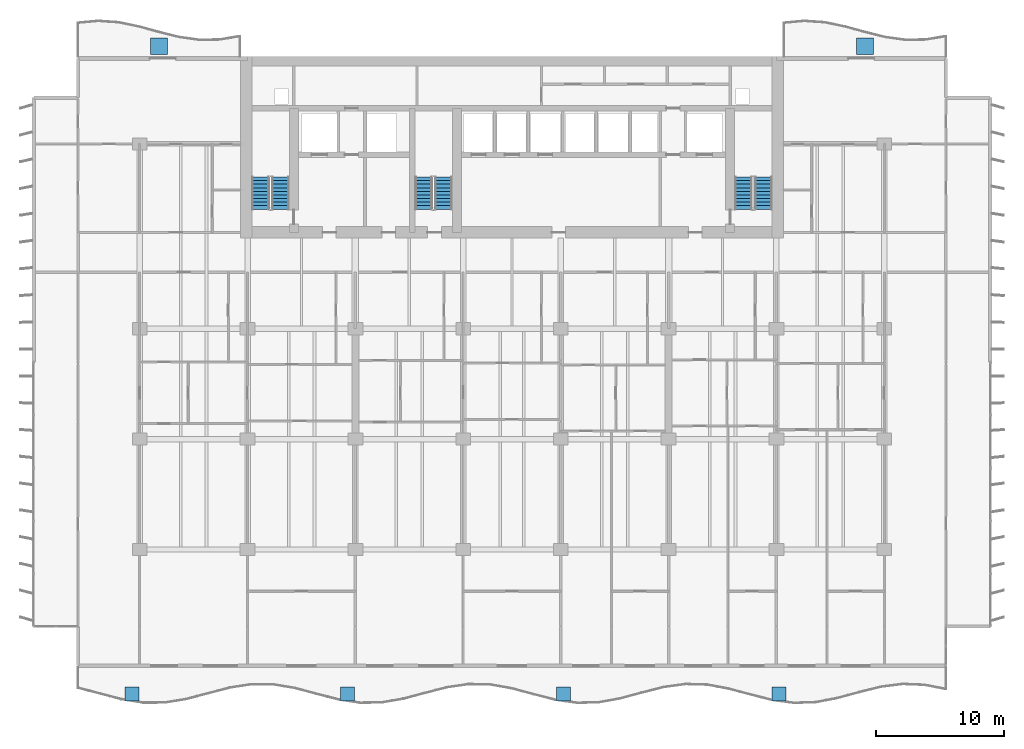
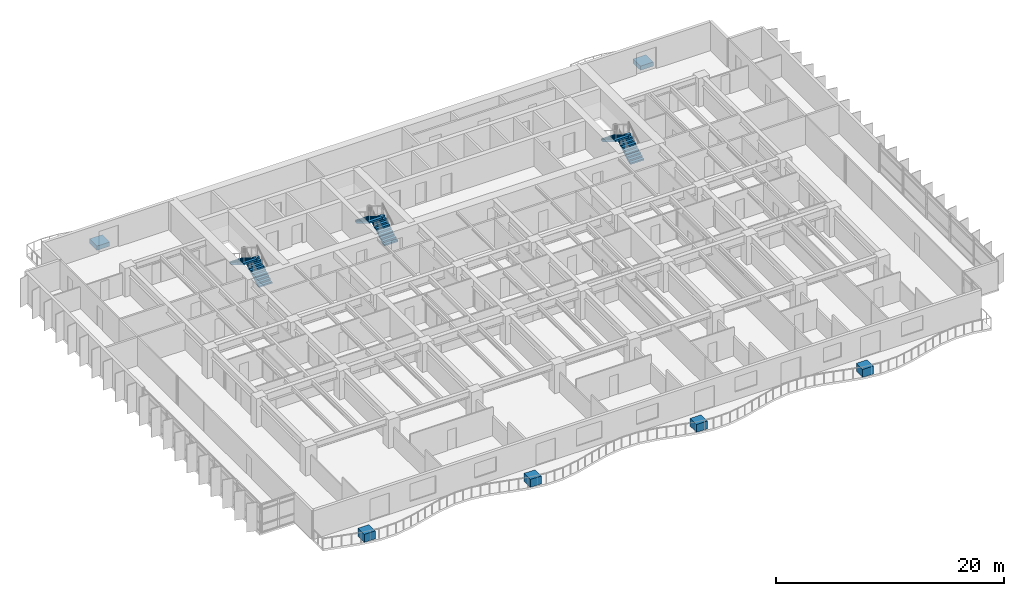
# One storey, part 13 of 17: 6 discrete accessories, 6 stair flights, 3 elements without a shape of their own.
"""IFC4 building model written with IfcOpenShell, lengths in metres."""

from ifc_helpers import new_model, si_unit, direction, frame, origin, origin_2d, place, context, subcontext, project, spatial, polyline, rectangle, outline, extrude, material, type_object, element, aggregate, save


model = new_model("IFC4")

# Units and contexts
model_context = context("Model", 3, precision=1e-05, world=origin(), true_north=direction((0.0, 1.0)))
body_context = subcontext(model_context, "Body", "Model", "MODEL_VIEW")
ifc_project = project(units=[si_unit("LENGTHUNIT", "METRE"), si_unit("AREAUNIT", "SQUARE_METRE"), si_unit("VOLUMEUNIT", "CUBIC_METRE"), si_unit("PLANEANGLEUNIT", "RADIAN"), si_unit("MASSUNIT", "GRAM", prefix="KILO")], contexts=[model_context])

# Site, building, storey
site_placement = place(None, origin())
site = spatial("IfcSite", under=ifc_project, at=site_placement, CompositionType="ELEMENT")
building_placement = place(site_placement, origin())
building = spatial("IfcBuilding", under=site, at=building_placement, Name="Caelmar Bay Residences", CompositionType="ELEMENT")
storey_placement = place(building_placement, frame((0.0, 0.0, 59.699951171875)))
storey = spatial("IfcBuildingStorey", under=building, at=storey_placement, Name="L15", CompositionType="ELEMENT", Elevation=59.699951171875)

# Stair, stair flights
ifc_material_1 = material(Name="Concrete f'c 40 MPa (6,000 psi)", Category="concrete")
stair_type = type_object("IfcStairType", Name="ST-TYP-165", PredefinedType="HALF_TURN_STAIR", material=ifc_material_1)
stair_1_placement = place(storey_placement, origin())
stair_1 = element("IfcStair", 1, at=stair_1_placement, inside=storey, type_object=stair_type, Name="L15 West Smokeproof Exit Stair ST1", PredefinedType="HALF_TURN_STAIR")
stair_flight_type = type_object("IfcStairFlightType", Name="STF-1350", PredefinedType="STRAIGHT", material=ifc_material_1)
stair_flight_1_placement = place(storey_placement, frame((20.875, 38.699951171875, 0.0), z_axis=(0.0, 0.0, 1.0), x_axis=(0.0, 1.0, 0.0)))
stair_flight_1 = element("IfcStairFlight", 2, at=stair_flight_1_placement, type_object=stair_flight_type, Name="ST1 flight 1", NumberOfRisers=10, NumberOfTreads=9, PredefinedType="STRAIGHT", RiserHeight=0.165, TreadLength=0.28, context=body_context, shape_type="SweptSolid", body=[
    extrude(outline(polyline([(0.0, 0.0), (0.0, 0.1650390625), (0.280029296875, 0.1650390625), (0.280029296875, 0.330078125), (0.56005859375, 0.330078125), (0.56005859375, 0.4951171875), (0.840087890625, 0.4951171875), (0.840087890625, 0.659912109375), (1.1201171875, 0.659912109375), (1.1201171875, 0.824951171875), (1.39990234375, 0.824951171875), (1.39990234375, 0.989990234375), (1.679931640625, 0.989990234375), (1.679931640625, 1.155029296875), (1.9599609375, 1.155029296875), (1.9599609375, 1.320068359375), (2.239990234375, 1.320068359375), (2.239990234375, 1.485107421875), (2.52001953125, 1.485107421875), (2.52001953125, 1.64990234375), (2.52001953125, 1.31103515625), (0.295166015625, 0.0), (0.0, 0.0)])), frame((0.0, 0.675048828125, 0.0), z_axis=(0.0, -1.0, 0.0), x_axis=(1.0, 0.0, 0.0)), (0.0, 0.0, 1.0), 1.35009765625),
])
stair_flight_2_placement = place(storey_placement, frame((19.324951171875, 41.219970703125, 1.650146484375), z_axis=(0.0, 0.0, 1.0), x_axis=(0.0, -1.0, 0.0)))
stair_flight_2 = element("IfcStairFlight", 3, at=stair_flight_2_placement, type_object=stair_flight_type, Name="ST1 flight 2", NumberOfRisers=10, NumberOfTreads=9, PredefinedType="STRAIGHT", RiserHeight=0.165, TreadLength=0.28, context=body_context, shape_type="SweptSolid", body=[
    extrude(outline(polyline([(0.0, 0.0), (0.0, 0.1650390625), (0.280029296875, 0.1650390625), (0.280029296875, 0.330078125), (0.56005859375, 0.330078125), (0.56005859375, 0.4951171875), (0.840087890625, 0.4951171875), (0.840087890625, 0.659912109375), (1.1201171875, 0.659912109375), (1.1201171875, 0.824951171875), (1.39990234375, 0.824951171875), (1.39990234375, 0.989990234375), (1.679931640625, 0.989990234375), (1.679931640625, 1.155029296875), (1.9599609375, 1.155029296875), (1.9599609375, 1.320068359375), (2.239990234375, 1.320068359375), (2.239990234375, 1.485107421875), (2.52001953125, 1.485107421875), (2.52001953125, 1.64990234375), (2.52001953125, 1.31103515625), (0.295166015625, 0.0), (0.0, 0.0)])), frame((0.0, 0.675048828125, 0.0), z_axis=(0.0, -1.0, 0.0), x_axis=(1.0, 0.0, 0.0)), (0.0, 0.0, 1.0), 1.35009765625),
])
aggregate(stair_1, [stair_flight_1, stair_flight_2])

stair_2_placement = place(storey_placement, origin())
stair_2 = element("IfcStair", 4, at=stair_2_placement, inside=storey, type_object=stair_type, Name="L15 East Smokeproof Exit Stair ST2", PredefinedType="HALF_TURN_STAIR")
stair_flight_3_placement = place(storey_placement, frame((58.47509765625, 38.699951171875, 0.0), z_axis=(0.0, 0.0, 1.0), x_axis=(0.0, 1.0, 0.0)))
stair_flight_3 = element("IfcStairFlight", 5, at=stair_flight_3_placement, type_object=stair_flight_type, Name="ST2 flight 1", NumberOfRisers=10, NumberOfTreads=9, PredefinedType="STRAIGHT", RiserHeight=0.165, TreadLength=0.28, context=body_context, shape_type="SweptSolid", body=[
    extrude(outline(polyline([(0.0, 0.0), (0.0, 0.1650390625), (0.280029296875, 0.1650390625), (0.280029296875, 0.330078125), (0.56005859375, 0.330078125), (0.56005859375, 0.4951171875), (0.840087890625, 0.4951171875), (0.840087890625, 0.659912109375), (1.1201171875, 0.659912109375), (1.1201171875, 0.824951171875), (1.39990234375, 0.824951171875), (1.39990234375, 0.989990234375), (1.679931640625, 0.989990234375), (1.679931640625, 1.155029296875), (1.9599609375, 1.155029296875), (1.9599609375, 1.320068359375), (2.239990234375, 1.320068359375), (2.239990234375, 1.485107421875), (2.52001953125, 1.485107421875), (2.52001953125, 1.64990234375), (2.52001953125, 1.31103515625), (0.295166015625, 0.0), (0.0, 0.0)])), frame((0.0, 0.675048828125, 0.0), z_axis=(0.0, -1.0, 0.0), x_axis=(1.0, 0.0, 0.0)), (0.0, 0.0, 1.0), 1.35009765625),
])
stair_flight_4_placement = place(storey_placement, frame((56.925048828125, 41.219970703125, 1.650146484375), z_axis=(0.0, 0.0, 1.0), x_axis=(0.0, -1.0, 0.0)))
stair_flight_4 = element("IfcStairFlight", 6, at=stair_flight_4_placement, type_object=stair_flight_type, Name="ST2 flight 2", NumberOfRisers=10, NumberOfTreads=9, PredefinedType="STRAIGHT", RiserHeight=0.165, TreadLength=0.28, context=body_context, shape_type="SweptSolid", body=[
    extrude(outline(polyline([(0.0, 0.0), (0.0, 0.1650390625), (0.280029296875, 0.1650390625), (0.280029296875, 0.330078125), (0.56005859375, 0.330078125), (0.56005859375, 0.4951171875), (0.840087890625, 0.4951171875), (0.840087890625, 0.659912109375), (1.1201171875, 0.659912109375), (1.1201171875, 0.824951171875), (1.39990234375, 0.824951171875), (1.39990234375, 0.989990234375), (1.679931640625, 0.989990234375), (1.679931640625, 1.155029296875), (1.9599609375, 1.155029296875), (1.9599609375, 1.320068359375), (2.239990234375, 1.320068359375), (2.239990234375, 1.485107421875), (2.52001953125, 1.485107421875), (2.52001953125, 1.64990234375), (2.52001953125, 1.31103515625), (0.295166015625, 0.0), (0.0, 0.0)])), frame((0.0, 0.675048828125, 0.0), z_axis=(0.0, -1.0, 0.0), x_axis=(1.0, 0.0, 0.0)), (0.0, 0.0, 1.0), 1.35009765625),
])
aggregate(stair_2, [stair_flight_3, stair_flight_4])

stair_3_placement = place(storey_placement, origin())
stair_3 = element("IfcStair", 7, at=stair_3_placement, inside=storey, type_object=stair_type, Name="L15 Central Smokeproof Exit Stair ST3", PredefinedType="HALF_TURN_STAIR")
stair_flight_5_placement = place(storey_placement, frame((33.574951171875, 38.699951171875, 0.0), z_axis=(0.0, 0.0, 1.0), x_axis=(0.0, 1.0, 0.0)))
stair_flight_5 = element("IfcStairFlight", 8, at=stair_flight_5_placement, type_object=stair_flight_type, Name="ST3 flight 1", NumberOfRisers=10, NumberOfTreads=9, PredefinedType="STRAIGHT", RiserHeight=0.165, TreadLength=0.28, context=body_context, shape_type="SweptSolid", body=[
    extrude(outline(polyline([(0.0, 0.0), (0.0, 0.1650390625), (0.280029296875, 0.1650390625), (0.280029296875, 0.330078125), (0.56005859375, 0.330078125), (0.56005859375, 0.4951171875), (0.840087890625, 0.4951171875), (0.840087890625, 0.659912109375), (1.1201171875, 0.659912109375), (1.1201171875, 0.824951171875), (1.39990234375, 0.824951171875), (1.39990234375, 0.989990234375), (1.679931640625, 0.989990234375), (1.679931640625, 1.155029296875), (1.9599609375, 1.155029296875), (1.9599609375, 1.320068359375), (2.239990234375, 1.320068359375), (2.239990234375, 1.485107421875), (2.52001953125, 1.485107421875), (2.52001953125, 1.64990234375), (2.52001953125, 1.31103515625), (0.295166015625, 0.0), (0.0, 0.0)])), frame((0.0, 0.675048828125, 0.0), z_axis=(0.0, -1.0, 0.0), x_axis=(1.0, 0.0, 0.0)), (0.0, 0.0, 1.0), 1.35009765625),
])
stair_flight_6_placement = place(storey_placement, frame((32.02490234375, 41.219970703125, 1.650146484375), z_axis=(0.0, 0.0, 1.0), x_axis=(0.0, -1.0, 0.0)))
stair_flight_6 = element("IfcStairFlight", 9, at=stair_flight_6_placement, type_object=stair_flight_type, Name="ST3 flight 2", NumberOfRisers=10, NumberOfTreads=9, PredefinedType="STRAIGHT", RiserHeight=0.165, TreadLength=0.28, context=body_context, shape_type="SweptSolid", body=[
    extrude(outline(polyline([(0.0, 0.0), (0.0, 0.1650390625), (0.280029296875, 0.1650390625), (0.280029296875, 0.330078125), (0.56005859375, 0.330078125), (0.56005859375, 0.4951171875), (0.840087890625, 0.4951171875), (0.840087890625, 0.659912109375), (1.1201171875, 0.659912109375), (1.1201171875, 0.824951171875), (1.39990234375, 0.824951171875), (1.39990234375, 0.989990234375), (1.679931640625, 0.989990234375), (1.679931640625, 1.155029296875), (1.9599609375, 1.155029296875), (1.9599609375, 1.320068359375), (2.239990234375, 1.320068359375), (2.239990234375, 1.485107421875), (2.52001953125, 1.485107421875), (2.52001953125, 1.64990234375), (2.52001953125, 1.31103515625), (0.295166015625, 0.0), (0.0, 0.0)])), frame((0.0, 0.675048828125, 0.0), z_axis=(0.0, -1.0, 0.0), x_axis=(1.0, 0.0, 0.0)), (0.0, 0.0, 1.0), 1.35009765625),
])
aggregate(stair_3, [stair_flight_5, stair_flight_6])

# Discrete accessories
ifc_material_2 = material(Name="Architectural bronze GRC planter trough with volcanic-lapilli substrate")
discrete_accessory_type_1 = type_object("IfcDiscreteAccessoryType", Name="ACC-PLANTER-1100", PredefinedType="USERDEFINED", material=ifc_material_2)
for number, where, z_axis, x_axis, name in (
    (10, (9.300048828125, 0.943115234375, 0.0), (0.0, 0.0, 1.0), (1.0, 0.0, 0.0), "L15 Balcony Structural Tree Planter 1"),
    (11, (26.10009765625, 0.943115234375, 0.0), (0.0, 0.0, 1.0), (1.0, 0.0, 0.0), "L15 Balcony Structural Tree Planter 2"),
    (12, (42.89990234375, 0.943115234375, 0.0), (0.0, 0.0, 1.0), (1.0, 0.0, 0.0), "L15 Balcony Structural Tree Planter 3"),
    (13, (59.699951171875, 0.943115234375, 0.0), (0.0, 0.0, 1.0), (1.0, 0.0, 0.0), "L15 Balcony Structural Tree Planter 4"),
):
    element("IfcDiscreteAccessory", number, at=place(storey_placement, frame(where, z_axis=z_axis, x_axis=x_axis)), inside=storey, type_object=discrete_accessory_type_1, Name=name, ObjectType="PLANTER", PredefinedType="USERDEFINED", context=body_context, shape_type="SweptSolid", body=[
        extrude(rectangle(XDim=1.10009765625, YDim=1.10009765625, at=origin_2d()), origin(), (0.0, 0.0, 1.0), 0.85009765625),
    ])
ifc_material_3 = material(Name="Precast concrete f'c 40 MPa (6,000 psi)", Category="concrete")
discrete_accessory_type_2 = type_object("IfcDiscreteAccessoryType", Name="STR-PLANTER-KERB-450", PredefinedType="USERDEFINED", material=ifc_material_3)
for number, where, z_axis, x_axis, name in (
    (14, (11.39990234375, 51.39990234375, 0.0), (0.0, 0.0, 1.0), (1.0, 0.0, 0.0), "L15 north_west Structural Tree Planter Kerb"),
    (15, (66.39990234375, 51.39990234375, 0.0), (0.0, 0.0, 1.0), (1.0, 0.0, 0.0), "L15 north_east Structural Tree Planter Kerb"),
):
    element("IfcDiscreteAccessory", number, at=place(storey_placement, frame(where, z_axis=z_axis, x_axis=x_axis)), inside=storey, type_object=discrete_accessory_type_2, Name=name, ObjectType="PLANTER", PredefinedType="USERDEFINED", context=body_context, shape_type="SweptSolid", body=[
        extrude(rectangle(XDim=1.300048828125, YDim=1.300048828125, at=origin_2d()), origin(), (0.0, 0.0, 1.0), 0.449951171875),
    ])

save(model, "model.ifc")
